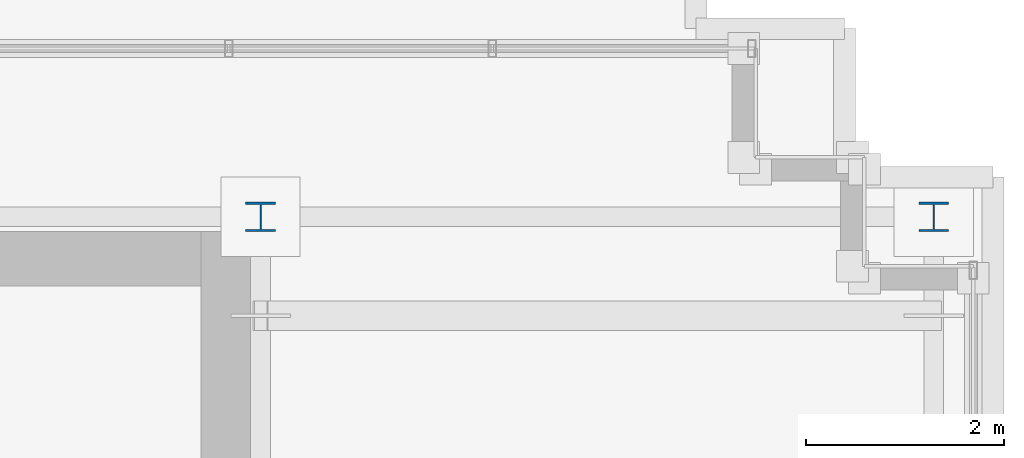
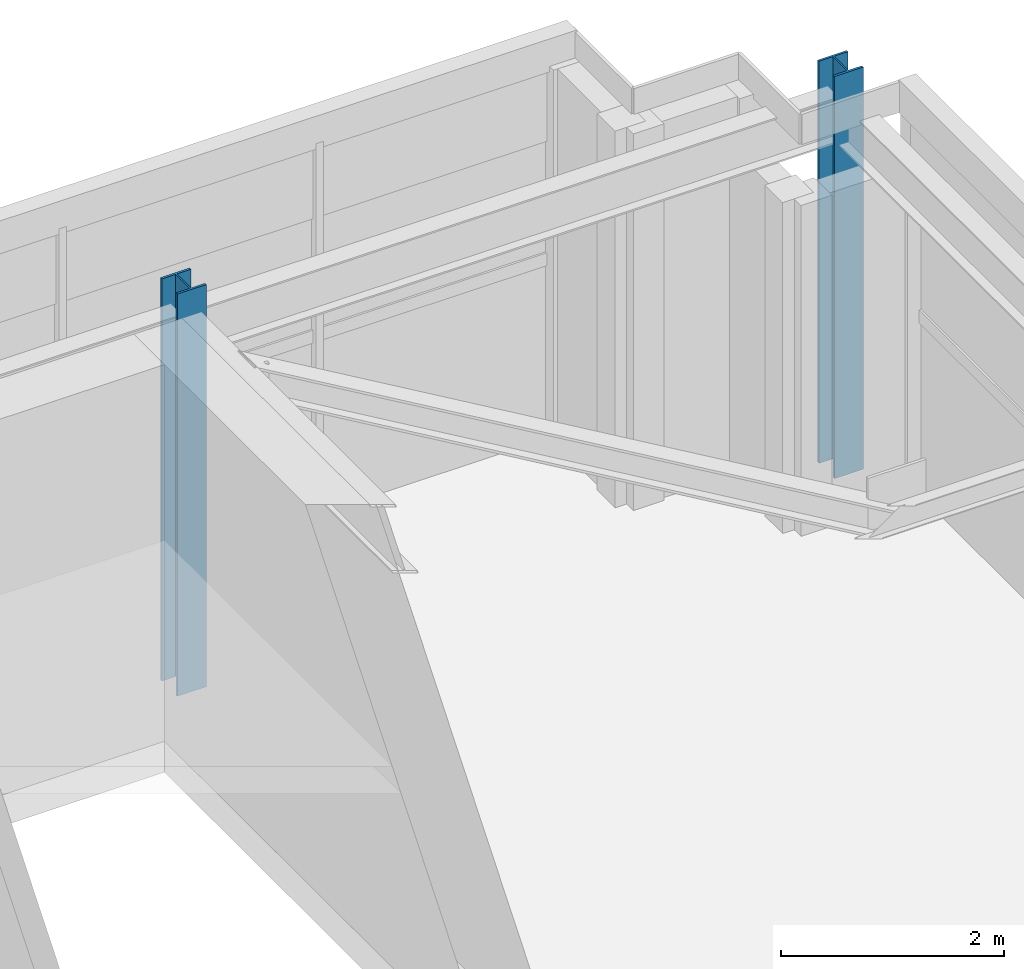
# One storey, part 4 of 38: 2 columns.
"""IFC4 building model written with IfcOpenShell, lengths in metres."""

from ifc_helpers import new_model, si_unit, direction, frame, origin, origin_2d, place, context, subcontext, project, spatial, i_section, extrude, source, transform, mapped, material, material_profile, profile_set, type_object, element, save


model = new_model("IFC4")

# Units and contexts
model_context = context("Model", 3, precision=1e-05, world=origin(), true_north=direction((0.0, 1.0)))
body_context = subcontext(model_context, "Body", "Model", "MODEL_VIEW")
ifc_project = project(units=[si_unit("LENGTHUNIT", "METRE"), si_unit("AREAUNIT", "SQUARE_METRE"), si_unit("VOLUMEUNIT", "CUBIC_METRE"), si_unit("PLANEANGLEUNIT", "RADIAN"), si_unit("MASSUNIT", "GRAM", prefix="KILO")], contexts=[model_context])

# Site, building, storey
site_placement = place(None, origin())
site = spatial("IfcSite", under=ifc_project, at=site_placement, CompositionType="ELEMENT")
building_placement = place(site_placement, origin())
building = spatial("IfcBuilding", under=site, at=building_placement, Name="Trelvane Seafront Commons", CompositionType="ELEMENT")
storey_placement = place(building_placement, frame((0.0, 0.0, 299.10009765625)))
storey = spatial("IfcBuildingStorey", under=building, at=storey_placement, Name="L78", CompositionType="ELEMENT", Elevation=299.10009765625)

# Columns
ifc_material = material(Name="Steel SM355 (S355)", Category="steel")
ifc_material_profile = material_profile(ifc_material, i_section(OverallWidth=0.300048828125, OverallDepth=0.300048828125, WebThickness=0.014892578125, FlangeThickness=0.02392578125, at=origin_2d()), Name="HD-300x300x15x24")
ifc_profile_set = profile_set([ifc_material_profile], Name="Steel SM355 (S355)")
column_type = type_object("IfcColumnType", Name="STR-CROWN-FRAME-COL", PredefinedType="COLUMN", material=ifc_profile_set)
shared_shape = source(origin(), body_context, "Body", "SweptSolid", [
    extrude(i_section(OverallWidth=0.300048828125, OverallDepth=0.300048828125, WebThickness=0.014892578125, FlangeThickness=0.02392578125, at=origin_2d()), origin(), (0.0, 0.0, 1.0), 4.39990234375),
])
for number, where, z_axis, x_axis, name in (
    (1, (58.800048828125, 45.10009765625, 0.0), (0.0, 0.0, 1.0), (1.0, 0.0, 0.0), "L78 CROWN FRAME Column CRN-7-3"),
    (2, (65.60009765625, 45.10009765625, 0.0), (0.0, 0.0, 1.0), (1.0, 0.0, 0.0), "L78 CROWN FRAME Column CRN-8-3"),
):
    element("IfcColumn", number, at=place(storey_placement, frame(where, z_axis=z_axis, x_axis=x_axis)), inside=storey, type_object=column_type, Name=name, PredefinedType="COLUMN", context=body_context, shape_type="MappedRepresentation", body=[
        mapped(shared_shape, transform((0.0, 0.0, 0.0), x_axis=(1.0, 0.0, 0.0), y_axis=(0.0, 1.0, 0.0), z_axis=(0.0, 0.0, 1.0), scale=1.0)),
    ])

save(model, "model.ifc")
